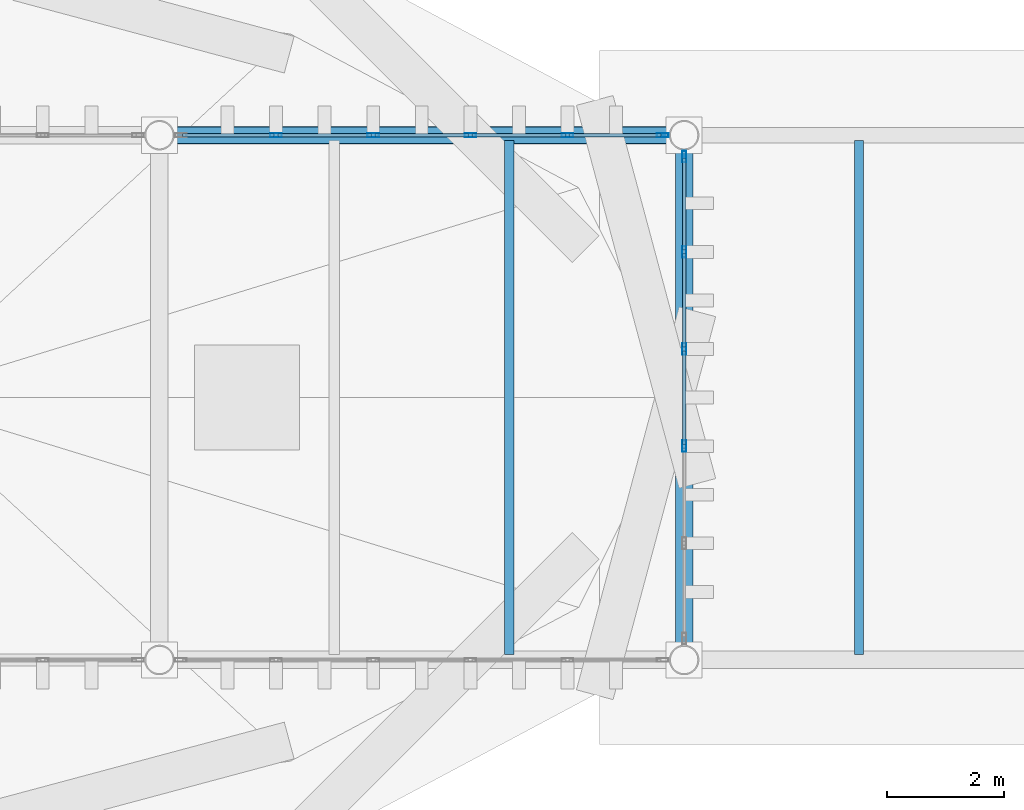
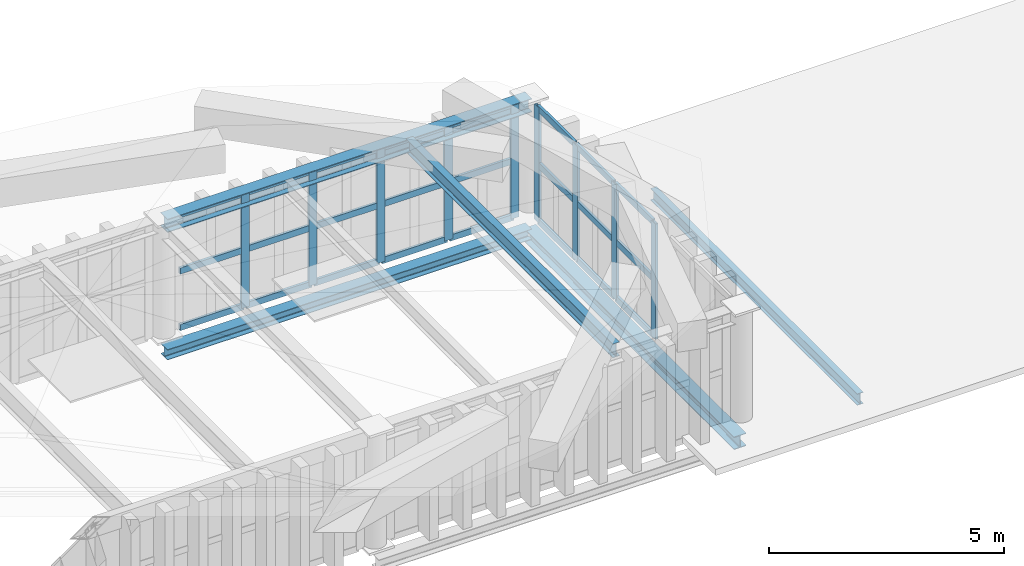
# One storey, part 22 of 102: 33 members, 5 beams, 2 elements without a shape of their own.
"""IFC4 building model written with IfcOpenShell, lengths in metres."""

from ifc_helpers import new_model, si_unit, direction, frame, origin, origin_2d, place, context, subcontext, project, spatial, hollow_rectangle, i_section, extrude, material, layer, layer_set, material_profile, profile_set, type_object, element, aggregate, save


model = new_model("IFC4")

# Units and contexts
model_context = context("Model", 3, precision=1e-05, world=origin(), true_north=direction((0.0, 1.0)))
body_context = subcontext(model_context, "Body", "Model", "MODEL_VIEW")
ifc_project = project(units=[si_unit("LENGTHUNIT", "METRE"), si_unit("AREAUNIT", "SQUARE_METRE"), si_unit("VOLUMEUNIT", "CUBIC_METRE"), si_unit("PLANEANGLEUNIT", "RADIAN"), si_unit("MASSUNIT", "GRAM", prefix="KILO")], contexts=[model_context])

# Site, building, storey
site_placement = place(None, origin())
site = spatial("IfcSite", under=ifc_project, at=site_placement, CompositionType="ELEMENT")
building_placement = place(site_placement, origin())
building = spatial("IfcBuilding", under=site, at=building_placement, Name="Barlavento Convention Centre", CompositionType="ELEMENT")
storey_placement = place(building_placement, frame((0.0, 0.0, 22.800048828125)))
storey = spatial("IfcBuildingStorey", under=building, at=storey_placement, Name="L04", CompositionType="ELEMENT", Elevation=22.800048828125)

# Curtain wall, members
ifc_material_1 = material(Name="Powder-coated aluminium and Low-E glass", Category="aluminium")
ifc_layer = layer(ifc_material_1, 0.18505859375)
ifc_layer_set = layer_set([ifc_layer], Name="ARC-CW-CONF-L04")
curtain_wall_type = type_object("IfcCurtainWallType", Name="ARC-CW-CONF-L04", PredefinedType="NOTDEFINED", material=ifc_layer_set)
curtain_wall_1_placement = place(storey_placement, origin())
curtain_wall_1 = element("IfcCurtainWall", 1, at=curtain_wall_1_placement, inside=storey, type_object=curtain_wall_type, Name="L04 unitised curtain wall CW09", PredefinedType="NOTDEFINED")
ifc_material_2 = material(Name="Powder-coated aluminium", Category="aluminium")
ifc_material_profile_1 = material_profile(ifc_material_2, hollow_rectangle(XDim=0.06494140625, YDim=0.199951171875, WallThickness=0.0048828125, at=origin_2d()), Name="AL-MULL 65x200x5")
ifc_profile_set_1 = profile_set([ifc_material_profile_1], Name="Powder-coated aluminium")
member_type_1 = type_object("IfcMemberType", Name="ARC-CWM-65X200", PredefinedType="MULLION", material=ifc_profile_set_1)
member_1_placement = place(storey_placement, frame((101.00048828125, 54.0, 0.0), z_axis=(0.0, 0.0, 1.0), x_axis=(0.0, 1.0, 0.0)))
member_1 = element("IfcMember", 2, at=member_1_placement, type_object=member_type_1, Name="CW09 mullion 2", PredefinedType="MULLION", context=body_context, shape_type="SweptSolid", body=[
    extrude(hollow_rectangle(XDim=0.06494140625, YDim=0.199951171875, WallThickness=0.0048828125, at=origin_2d()), origin(), (0.0, 0.0, 1.0), 3.0),
])
member_2_placement = place(storey_placement, frame((102.666748046875, 54.0, 0.0), z_axis=(0.0, 0.0, 1.0), x_axis=(0.0, 1.0, 0.0)))
member_2 = element("IfcMember", 3, at=member_2_placement, type_object=member_type_1, Name="CW09 mullion 3", PredefinedType="MULLION", context=body_context, shape_type="SweptSolid", body=[
    extrude(hollow_rectangle(XDim=0.06494140625, YDim=0.199951171875, WallThickness=0.0048828125, at=origin_2d()), origin(), (0.0, 0.0, 1.0), 3.0),
])
member_3_placement = place(storey_placement, frame((104.333251953125, 54.0, 0.0), z_axis=(0.0, 0.0, 1.0), x_axis=(0.0, 1.0, 0.0)))
member_3 = element("IfcMember", 4, at=member_3_placement, type_object=member_type_1, Name="CW09 mullion 4", PredefinedType="MULLION", context=body_context, shape_type="SweptSolid", body=[
    extrude(hollow_rectangle(XDim=0.06494140625, YDim=0.199951171875, WallThickness=0.0048828125, at=origin_2d()), origin(), (0.0, 0.0, 1.0), 3.0),
])
member_4_placement = place(storey_placement, frame((105.99951171875, 54.0, 0.0), z_axis=(0.0, 0.0, 1.0), x_axis=(0.0, 1.0, 0.0)))
member_4 = element("IfcMember", 5, at=member_4_placement, type_object=member_type_1, Name="CW09 mullion 5", PredefinedType="MULLION", context=body_context, shape_type="SweptSolid", body=[
    extrude(hollow_rectangle(XDim=0.06494140625, YDim=0.199951171875, WallThickness=0.0048828125, at=origin_2d()), origin(), (0.0, 0.0, 1.0), 3.0),
])
member_5_placement = place(storey_placement, frame((107.633544921875, 54.0, 0.0), z_axis=(0.0, 0.0, 1.0), x_axis=(0.0, 1.0, 0.0)))
member_5 = element("IfcMember", 6, at=member_5_placement, type_object=member_type_1, Name="CW09 mullion 6", PredefinedType="MULLION", context=body_context, shape_type="SweptSolid", body=[
    extrude(hollow_rectangle(XDim=0.06494140625, YDim=0.199951171875, WallThickness=0.0048828125, at=origin_2d()), origin(), (0.0, 0.0, 1.0), 3.0),
])

curtain_wall_2_placement = place(storey_placement, origin())
curtain_wall_2 = element("IfcCurtainWall", 7, at=curtain_wall_2_placement, inside=storey, type_object=curtain_wall_type, Name="L04 unitised curtain wall CW09", PredefinedType="NOTDEFINED")
member_6_placement = place(storey_placement, frame((108.0, 48.666748046875, 0.0), z_axis=(0.0, 0.0, 1.0), x_axis=(-1.0, 0.0, 0.0)))
member_6 = element("IfcMember", 8, at=member_6_placement, type_object=member_type_1, Name="CW09 mullion 3", PredefinedType="MULLION", context=body_context, shape_type="SweptSolid", body=[
    extrude(hollow_rectangle(XDim=0.06494140625, YDim=0.199951171875, WallThickness=0.0048828125, at=origin_2d()), origin(), (0.0, 0.0, 1.0), 3.0),
])
member_7_placement = place(storey_placement, frame((108.0, 50.333251953125, 0.0), z_axis=(0.0, 0.0, 1.0), x_axis=(-1.0, 0.0, 0.0)))
member_7 = element("IfcMember", 9, at=member_7_placement, type_object=member_type_1, Name="CW09 mullion 4", PredefinedType="MULLION", context=body_context, shape_type="SweptSolid", body=[
    extrude(hollow_rectangle(XDim=0.06494140625, YDim=0.199951171875, WallThickness=0.0048828125, at=origin_2d()), origin(), (0.0, 0.0, 1.0), 3.0),
])
member_8_placement = place(storey_placement, frame((108.0, 51.99951171875, 0.0), z_axis=(0.0, 0.0, 1.0), x_axis=(-1.0, 0.0, 0.0)))
member_8 = element("IfcMember", 10, at=member_8_placement, type_object=member_type_1, Name="CW09 mullion 5", PredefinedType="MULLION", context=body_context, shape_type="SweptSolid", body=[
    extrude(hollow_rectangle(XDim=0.06494140625, YDim=0.199951171875, WallThickness=0.0048828125, at=origin_2d()), origin(), (0.0, 0.0, 1.0), 3.0),
])
member_9_placement = place(storey_placement, frame((108.0, 53.633544921875, 0.0), z_axis=(0.0, 0.0, 1.0), x_axis=(-1.0, 0.0, 0.0)))
member_9 = element("IfcMember", 11, at=member_9_placement, type_object=member_type_1, Name="CW09 mullion 6", PredefinedType="MULLION", context=body_context, shape_type="SweptSolid", body=[
    extrude(hollow_rectangle(XDim=0.06494140625, YDim=0.199951171875, WallThickness=0.0048828125, at=origin_2d()), origin(), (0.0, 0.0, 1.0), 3.0),
])

# Member
ifc_material_profile_2 = material_profile(ifc_material_2, hollow_rectangle(XDim=0.06494140625, YDim=0.159912109375, WallThickness=0.0048828125, at=origin_2d()), Name="AL-TRAN 65x160x5")
ifc_profile_set_2 = profile_set([ifc_material_profile_2], Name="Powder-coated aluminium")
member_type_2 = type_object("IfcMemberType", Name="ARC-CWT-65X160", PredefinedType="USERDEFINED", material=ifc_profile_set_2)
member_10_placement = place(storey_placement, frame((99.39892578125, 54.0, 0.032470703125), z_axis=(1.0, 0.0, 0.0), x_axis=(0.0, 1.0, 0.0)))
member_10 = element("IfcMember", 12, at=member_10_placement, type_object=member_type_2, Name="CW09 transom 1.1", ObjectType="TRANSOM", PredefinedType="USERDEFINED", context=body_context, shape_type="SweptSolid", body=[
    extrude(hollow_rectangle(XDim=0.06494140625, YDim=0.159912109375, WallThickness=0.0048828125, at=origin_2d()), origin(), (0.0, 0.0, 1.0), 1.569091796875),
])

member_11_placement = place(storey_placement, frame((99.39892578125, 54.0, 1.5), z_axis=(1.0, 0.0, 0.0), x_axis=(0.0, 1.0, 0.0)))
member_11 = element("IfcMember", 13, at=member_11_placement, type_object=member_type_2, Name="CW09 transom 1.2", ObjectType="TRANSOM", PredefinedType="USERDEFINED", context=body_context, shape_type="SweptSolid", body=[
    extrude(hollow_rectangle(XDim=0.06494140625, YDim=0.159912109375, WallThickness=0.0048828125, at=origin_2d()), origin(), (0.0, 0.0, 1.0), 1.569091796875),
])

member_12_placement = place(storey_placement, frame((99.39892578125, 54.0, 2.967529296875), z_axis=(1.0, 0.0, 0.0), x_axis=(0.0, 1.0, 0.0)))
member_12 = element("IfcMember", 14, at=member_12_placement, type_object=member_type_2, Name="CW09 transom 1.3", ObjectType="TRANSOM", PredefinedType="USERDEFINED", context=body_context, shape_type="SweptSolid", body=[
    extrude(hollow_rectangle(XDim=0.06494140625, YDim=0.159912109375, WallThickness=0.0048828125, at=origin_2d()), origin(), (0.0, 0.0, 1.0), 1.569091796875),
])

member_13_placement = place(storey_placement, frame((101.032958984375, 54.0, 0.032470703125), z_axis=(1.0, 0.0, 0.0), x_axis=(0.0, 1.0, 0.0)))
member_13 = element("IfcMember", 15, at=member_13_placement, type_object=member_type_2, Name="CW09 transom 2.1", ObjectType="TRANSOM", PredefinedType="USERDEFINED", context=body_context, shape_type="SweptSolid", body=[
    extrude(hollow_rectangle(XDim=0.06494140625, YDim=0.159912109375, WallThickness=0.0048828125, at=origin_2d()), origin(), (0.0, 0.0, 1.0), 1.601318359375),
])

member_14_placement = place(storey_placement, frame((101.032958984375, 54.0, 1.5), z_axis=(1.0, 0.0, 0.0), x_axis=(0.0, 1.0, 0.0)))
member_14 = element("IfcMember", 16, at=member_14_placement, type_object=member_type_2, Name="CW09 transom 2.2", ObjectType="TRANSOM", PredefinedType="USERDEFINED", context=body_context, shape_type="SweptSolid", body=[
    extrude(hollow_rectangle(XDim=0.06494140625, YDim=0.159912109375, WallThickness=0.0048828125, at=origin_2d()), origin(), (0.0, 0.0, 1.0), 1.601318359375),
])

member_15_placement = place(storey_placement, frame((101.032958984375, 54.0, 2.967529296875), z_axis=(1.0, 0.0, 0.0), x_axis=(0.0, 1.0, 0.0)))
member_15 = element("IfcMember", 17, at=member_15_placement, type_object=member_type_2, Name="CW09 transom 2.3", ObjectType="TRANSOM", PredefinedType="USERDEFINED", context=body_context, shape_type="SweptSolid", body=[
    extrude(hollow_rectangle(XDim=0.06494140625, YDim=0.159912109375, WallThickness=0.0048828125, at=origin_2d()), origin(), (0.0, 0.0, 1.0), 1.601318359375),
])

member_16_placement = place(storey_placement, frame((102.69921875, 54.0, 0.032470703125), z_axis=(1.0, 0.0, 0.0), x_axis=(0.0, 1.0, 0.0)))
member_16 = element("IfcMember", 18, at=member_16_placement, type_object=member_type_2, Name="CW09 transom 3.1", ObjectType="TRANSOM", PredefinedType="USERDEFINED", context=body_context, shape_type="SweptSolid", body=[
    extrude(hollow_rectangle(XDim=0.06494140625, YDim=0.159912109375, WallThickness=0.0048828125, at=origin_2d()), origin(), (0.0, 0.0, 1.0), 1.6015625),
])

member_17_placement = place(storey_placement, frame((102.69921875, 54.0, 1.5), z_axis=(1.0, 0.0, 0.0), x_axis=(0.0, 1.0, 0.0)))
member_17 = element("IfcMember", 19, at=member_17_placement, type_object=member_type_2, Name="CW09 transom 3.2", ObjectType="TRANSOM", PredefinedType="USERDEFINED", context=body_context, shape_type="SweptSolid", body=[
    extrude(hollow_rectangle(XDim=0.06494140625, YDim=0.159912109375, WallThickness=0.0048828125, at=origin_2d()), origin(), (0.0, 0.0, 1.0), 1.6015625),
])

member_18_placement = place(storey_placement, frame((102.69921875, 54.0, 2.967529296875), z_axis=(1.0, 0.0, 0.0), x_axis=(0.0, 1.0, 0.0)))
member_18 = element("IfcMember", 20, at=member_18_placement, type_object=member_type_2, Name="CW09 transom 3.3", ObjectType="TRANSOM", PredefinedType="USERDEFINED", context=body_context, shape_type="SweptSolid", body=[
    extrude(hollow_rectangle(XDim=0.06494140625, YDim=0.159912109375, WallThickness=0.0048828125, at=origin_2d()), origin(), (0.0, 0.0, 1.0), 1.6015625),
])

member_19_placement = place(storey_placement, frame((104.36572265625, 54.0, 0.032470703125), z_axis=(1.0, 0.0, 0.0), x_axis=(0.0, 1.0, 0.0)))
member_19 = element("IfcMember", 21, at=member_19_placement, type_object=member_type_2, Name="CW09 transom 4.1", ObjectType="TRANSOM", PredefinedType="USERDEFINED", context=body_context, shape_type="SweptSolid", body=[
    extrude(hollow_rectangle(XDim=0.06494140625, YDim=0.159912109375, WallThickness=0.0048828125, at=origin_2d()), origin(), (0.0, 0.0, 1.0), 1.601318359375),
])

member_20_placement = place(storey_placement, frame((104.36572265625, 54.0, 1.5), z_axis=(1.0, 0.0, 0.0), x_axis=(0.0, 1.0, 0.0)))
member_20 = element("IfcMember", 22, at=member_20_placement, type_object=member_type_2, Name="CW09 transom 4.2", ObjectType="TRANSOM", PredefinedType="USERDEFINED", context=body_context, shape_type="SweptSolid", body=[
    extrude(hollow_rectangle(XDim=0.06494140625, YDim=0.159912109375, WallThickness=0.0048828125, at=origin_2d()), origin(), (0.0, 0.0, 1.0), 1.601318359375),
])

member_21_placement = place(storey_placement, frame((104.36572265625, 54.0, 2.967529296875), z_axis=(1.0, 0.0, 0.0), x_axis=(0.0, 1.0, 0.0)))
member_21 = element("IfcMember", 23, at=member_21_placement, type_object=member_type_2, Name="CW09 transom 4.3", ObjectType="TRANSOM", PredefinedType="USERDEFINED", context=body_context, shape_type="SweptSolid", body=[
    extrude(hollow_rectangle(XDim=0.06494140625, YDim=0.159912109375, WallThickness=0.0048828125, at=origin_2d()), origin(), (0.0, 0.0, 1.0), 1.601318359375),
])

member_22_placement = place(storey_placement, frame((106.031982421875, 54.0, 0.032470703125), z_axis=(1.0, 0.0, 0.0), x_axis=(0.0, 1.0, 0.0)))
member_22 = element("IfcMember", 24, at=member_22_placement, type_object=member_type_2, Name="CW09 transom 5.1", ObjectType="TRANSOM", PredefinedType="USERDEFINED", context=body_context, shape_type="SweptSolid", body=[
    extrude(hollow_rectangle(XDim=0.06494140625, YDim=0.159912109375, WallThickness=0.0048828125, at=origin_2d()), origin(), (0.0, 0.0, 1.0), 1.569091796875),
])

member_23_placement = place(storey_placement, frame((106.031982421875, 54.0, 1.5), z_axis=(1.0, 0.0, 0.0), x_axis=(0.0, 1.0, 0.0)))
member_23 = element("IfcMember", 25, at=member_23_placement, type_object=member_type_2, Name="CW09 transom 5.2", ObjectType="TRANSOM", PredefinedType="USERDEFINED", context=body_context, shape_type="SweptSolid", body=[
    extrude(hollow_rectangle(XDim=0.06494140625, YDim=0.159912109375, WallThickness=0.0048828125, at=origin_2d()), origin(), (0.0, 0.0, 1.0), 1.569091796875),
])

member_24_placement = place(storey_placement, frame((106.031982421875, 54.0, 2.967529296875), z_axis=(1.0, 0.0, 0.0), x_axis=(0.0, 1.0, 0.0)))
member_24 = element("IfcMember", 26, at=member_24_placement, type_object=member_type_2, Name="CW09 transom 5.3", ObjectType="TRANSOM", PredefinedType="USERDEFINED", context=body_context, shape_type="SweptSolid", body=[
    extrude(hollow_rectangle(XDim=0.06494140625, YDim=0.159912109375, WallThickness=0.0048828125, at=origin_2d()), origin(), (0.0, 0.0, 1.0), 1.569091796875),
])

aggregate(curtain_wall_1, [member_1, member_2, member_3, member_4, member_5, member_10, member_11, member_12, member_13, member_14, member_15, member_16, member_17, member_18, member_19, member_20, member_21, member_22, member_23, member_24])

member_25_placement = place(storey_placement, frame((108.0, 48.69921875, 0.032470703125), z_axis=(0.0, 1.0, 0.0), x_axis=(-1.0, 0.0, 0.0)))
member_25 = element("IfcMember", 27, at=member_25_placement, type_object=member_type_2, Name="CW09 transom 3.1", ObjectType="TRANSOM", PredefinedType="USERDEFINED", context=body_context, shape_type="SweptSolid", body=[
    extrude(hollow_rectangle(XDim=0.06494140625, YDim=0.159912109375, WallThickness=0.0048828125, at=origin_2d()), origin(), (0.0, 0.0, 1.0), 1.6015625),
])

member_26_placement = place(storey_placement, frame((108.0, 48.69921875, 1.5), z_axis=(0.0, 1.0, 0.0), x_axis=(-1.0, 0.0, 0.0)))
member_26 = element("IfcMember", 28, at=member_26_placement, type_object=member_type_2, Name="CW09 transom 3.2", ObjectType="TRANSOM", PredefinedType="USERDEFINED", context=body_context, shape_type="SweptSolid", body=[
    extrude(hollow_rectangle(XDim=0.06494140625, YDim=0.159912109375, WallThickness=0.0048828125, at=origin_2d()), origin(), (0.0, 0.0, 1.0), 1.6015625),
])

member_27_placement = place(storey_placement, frame((108.0, 48.69921875, 2.967529296875), z_axis=(0.0, 1.0, 0.0), x_axis=(-1.0, 0.0, 0.0)))
member_27 = element("IfcMember", 29, at=member_27_placement, type_object=member_type_2, Name="CW09 transom 3.3", ObjectType="TRANSOM", PredefinedType="USERDEFINED", context=body_context, shape_type="SweptSolid", body=[
    extrude(hollow_rectangle(XDim=0.06494140625, YDim=0.159912109375, WallThickness=0.0048828125, at=origin_2d()), origin(), (0.0, 0.0, 1.0), 1.6015625),
])

member_28_placement = place(storey_placement, frame((108.0, 50.36572265625, 0.032470703125), z_axis=(0.0, 1.0, 0.0), x_axis=(-1.0, 0.0, 0.0)))
member_28 = element("IfcMember", 30, at=member_28_placement, type_object=member_type_2, Name="CW09 transom 4.1", ObjectType="TRANSOM", PredefinedType="USERDEFINED", context=body_context, shape_type="SweptSolid", body=[
    extrude(hollow_rectangle(XDim=0.06494140625, YDim=0.159912109375, WallThickness=0.0048828125, at=origin_2d()), origin(), (0.0, 0.0, 1.0), 1.601318359375),
])

member_29_placement = place(storey_placement, frame((108.0, 50.36572265625, 1.5), z_axis=(0.0, 1.0, 0.0), x_axis=(-1.0, 0.0, 0.0)))
member_29 = element("IfcMember", 31, at=member_29_placement, type_object=member_type_2, Name="CW09 transom 4.2", ObjectType="TRANSOM", PredefinedType="USERDEFINED", context=body_context, shape_type="SweptSolid", body=[
    extrude(hollow_rectangle(XDim=0.06494140625, YDim=0.159912109375, WallThickness=0.0048828125, at=origin_2d()), origin(), (0.0, 0.0, 1.0), 1.601318359375),
])

member_30_placement = place(storey_placement, frame((108.0, 50.36572265625, 2.967529296875), z_axis=(0.0, 1.0, 0.0), x_axis=(-1.0, 0.0, 0.0)))
member_30 = element("IfcMember", 32, at=member_30_placement, type_object=member_type_2, Name="CW09 transom 4.3", ObjectType="TRANSOM", PredefinedType="USERDEFINED", context=body_context, shape_type="SweptSolid", body=[
    extrude(hollow_rectangle(XDim=0.06494140625, YDim=0.159912109375, WallThickness=0.0048828125, at=origin_2d()), origin(), (0.0, 0.0, 1.0), 1.601318359375),
])

member_31_placement = place(storey_placement, frame((108.0, 52.031982421875, 0.032470703125), z_axis=(0.0, 1.0, 0.0), x_axis=(-1.0, 0.0, 0.0)))
member_31 = element("IfcMember", 33, at=member_31_placement, type_object=member_type_2, Name="CW09 transom 5.1", ObjectType="TRANSOM", PredefinedType="USERDEFINED", context=body_context, shape_type="SweptSolid", body=[
    extrude(hollow_rectangle(XDim=0.06494140625, YDim=0.159912109375, WallThickness=0.0048828125, at=origin_2d()), origin(), (0.0, 0.0, 1.0), 1.569091796875),
])

member_32_placement = place(storey_placement, frame((108.0, 52.031982421875, 1.5), z_axis=(0.0, 1.0, 0.0), x_axis=(-1.0, 0.0, 0.0)))
member_32 = element("IfcMember", 34, at=member_32_placement, type_object=member_type_2, Name="CW09 transom 5.2", ObjectType="TRANSOM", PredefinedType="USERDEFINED", context=body_context, shape_type="SweptSolid", body=[
    extrude(hollow_rectangle(XDim=0.06494140625, YDim=0.159912109375, WallThickness=0.0048828125, at=origin_2d()), origin(), (0.0, 0.0, 1.0), 1.569091796875),
])

member_33_placement = place(storey_placement, frame((108.0, 52.031982421875, 2.967529296875), z_axis=(0.0, 1.0, 0.0), x_axis=(-1.0, 0.0, 0.0)))
member_33 = element("IfcMember", 35, at=member_33_placement, type_object=member_type_2, Name="CW09 transom 5.3", ObjectType="TRANSOM", PredefinedType="USERDEFINED", context=body_context, shape_type="SweptSolid", body=[
    extrude(hollow_rectangle(XDim=0.06494140625, YDim=0.159912109375, WallThickness=0.0048828125, at=origin_2d()), origin(), (0.0, 0.0, 1.0), 1.569091796875),
])

aggregate(curtain_wall_2, [member_6, member_7, member_8, member_9, member_25, member_26, member_27, member_28, member_29, member_30, member_31, member_32, member_33])

# Beams
ifc_material_3 = material(Name="Steel S355", Category="steel")
ifc_material_profile_3 = material_profile(ifc_material_3, i_section(OverallWidth=0.14990234375, OverallDepth=0.300048828125, WebThickness=0.007080078125, FlangeThickness=0.0107421875, FilletRadius=0.014892578125, at=origin_2d()), Name="IPE 300")
ifc_profile_set_3 = profile_set([ifc_material_profile_3], Name="Steel S355")
beam_type_1 = type_object("IfcBeamType", Name="STR-BM-JST-IPE300", PredefinedType="JOIST", material=ifc_profile_set_3)
beam_1_placement = place(storey_placement, frame((111.0, 45.094970703125, -0.4951171875), z_axis=(0.0, 1.0, 0.0), x_axis=(-1.0, 0.0, 0.0)))
element("IfcBeam", 36, at=beam_1_placement, inside=storey, type_object=beam_type_1, Name="L04 composite floor joist SJ07", PredefinedType="JOIST", context=body_context, shape_type="SweptSolid", body=[
    extrude(i_section(OverallWidth=0.14990234375, OverallDepth=0.300048828125, WebThickness=0.007080078125, FlangeThickness=0.0107421875, FilletRadius=0.014892578125, at=origin_2d()), origin(), (0.0, 0.0, 1.0), 8.81005859375),
])
ifc_material_profile_4 = material_profile(ifc_material_3, i_section(OverallWidth=0.169921875, OverallDepth=0.360107421875, WebThickness=0.008056640625, FlangeThickness=0.0126953125, FilletRadius=0.01806640625, at=origin_2d()), Name="IPE 360")
ifc_profile_set_4 = profile_set([ifc_material_profile_4], Name="Steel S355")
beam_type_2 = type_object("IfcBeamType", Name="STR-BM-JST-IPE360", PredefinedType="JOIST", material=ifc_profile_set_4)
beam_2_placement = place(storey_placement, frame((105.0, 45.094970703125, 2.875), z_axis=(0.0, 1.0, 0.0), x_axis=(-1.0, 0.0, 0.0)))
element("IfcBeam", 37, at=beam_2_placement, inside=storey, type_object=beam_type_2, Name="L04 composite floor joist SJ05", PredefinedType="JOIST", context=body_context, shape_type="SweptSolid", body=[
    extrude(i_section(OverallWidth=0.169921875, OverallDepth=0.360107421875, WebThickness=0.008056640625, FlangeThickness=0.0126953125, FilletRadius=0.01806640625, at=origin_2d()), origin(), (0.0, 0.0, 1.0), 8.81005859375),
])
ifc_material_profile_5 = material_profile(ifc_material_3, i_section(OverallWidth=0.300048828125, OverallDepth=0.330078125, WebThickness=0.009521484375, FlangeThickness=0.0166015625, FilletRadius=0.027099609375, at=origin_2d()), Name="HEA 340")
ifc_profile_set_5 = profile_set([ifc_material_profile_5], Name="Steel S355")
beam_type_3 = type_object("IfcBeamType", Name="STR-BM-PRI-HEA340", PredefinedType="BEAM", material=ifc_profile_set_5)
beam_3_placement = place(storey_placement, frame((108.0, 45.02001953125, -0.510009765625), z_axis=(0.0, 1.0, 0.0), x_axis=(-1.0, 0.0, 0.0)))
element("IfcBeam", 38, at=beam_3_placement, inside=storey, type_object=beam_type_3, Name="L04 grid girder BG24", PredefinedType="BEAM", context=body_context, shape_type="SweptSolid", body=[
    extrude(i_section(OverallWidth=0.300048828125, OverallDepth=0.330078125, WebThickness=0.009521484375, FlangeThickness=0.0166015625, FilletRadius=0.027099609375, at=origin_2d()), origin(), (0.0, 0.0, 1.0), 8.9599609375),
])
ifc_material_profile_6 = material_profile(ifc_material_3, i_section(OverallWidth=0.300048828125, OverallDepth=0.35009765625, WebThickness=0.010009765625, FlangeThickness=0.017578125, FilletRadius=0.027099609375, at=origin_2d()), Name="HEA 360")
ifc_profile_set_6 = profile_set([ifc_material_profile_6], Name="Steel S355")
beam_type_4 = type_object("IfcBeamType", Name="STR-BM-PRI-HEA360", PredefinedType="BEAM", material=ifc_profile_set_6)
beam_4_placement = place(storey_placement, frame((99.02001953125, 54.0, 2.8798828125), z_axis=(1.0, 0.0, 0.0), x_axis=(0.0, 1.0, 0.0)))
element("IfcBeam", 39, at=beam_4_placement, inside=storey, type_object=beam_type_4, Name="L04 Rotunda clerestory roof girder BG23", PredefinedType="BEAM", context=body_context, shape_type="SweptSolid", body=[
    extrude(i_section(OverallWidth=0.300048828125, OverallDepth=0.35009765625, WebThickness=0.010009765625, FlangeThickness=0.017578125, FilletRadius=0.027099609375, at=origin_2d()), origin(), (0.0, 0.0, 1.0), 8.9599609375),
])
ifc_material_profile_7 = material_profile(ifc_material_3, i_section(OverallWidth=0.280029296875, OverallDepth=0.27001953125, WebThickness=0.008056640625, FlangeThickness=0.012939453125, FilletRadius=0.02392578125, at=origin_2d()), Name="HEA 280")
ifc_profile_set_7 = profile_set([ifc_material_profile_7], Name="Steel S355")
beam_type_5 = type_object("IfcBeamType", Name="STR-BM-SPN-HEA280", PredefinedType="SPANDREL", material=ifc_profile_set_7)
beam_5_placement = place(storey_placement, frame((99.02001953125, 54.0, -0.47998046875), z_axis=(1.0, 0.0, 0.0), x_axis=(0.0, 1.0, 0.0)))
element("IfcBeam", 40, at=beam_5_placement, inside=storey, type_object=beam_type_5, Name="L04 primary girder SP03", PredefinedType="SPANDREL", context=body_context, shape_type="SweptSolid", body=[
    extrude(i_section(OverallWidth=0.280029296875, OverallDepth=0.27001953125, WebThickness=0.008056640625, FlangeThickness=0.012939453125, FilletRadius=0.02392578125, at=origin_2d()), origin(), (0.0, 0.0, 1.0), 8.9599609375),
])

save(model, "model.ifc")
